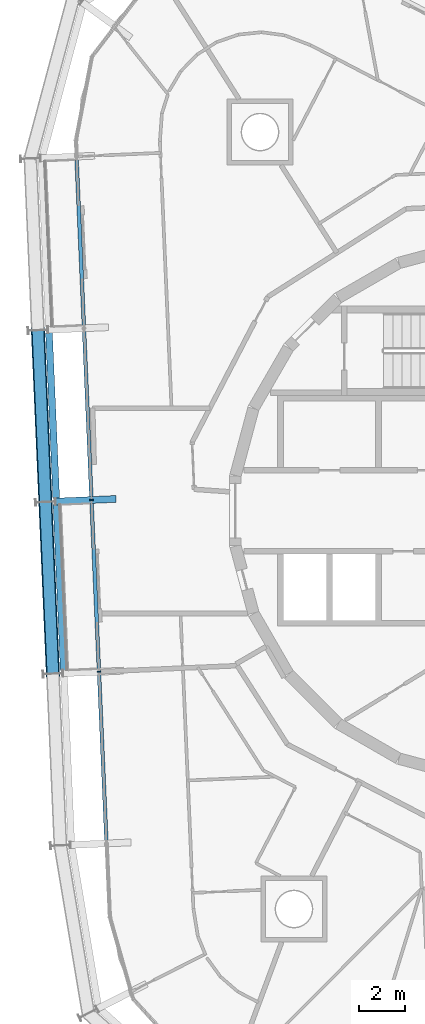
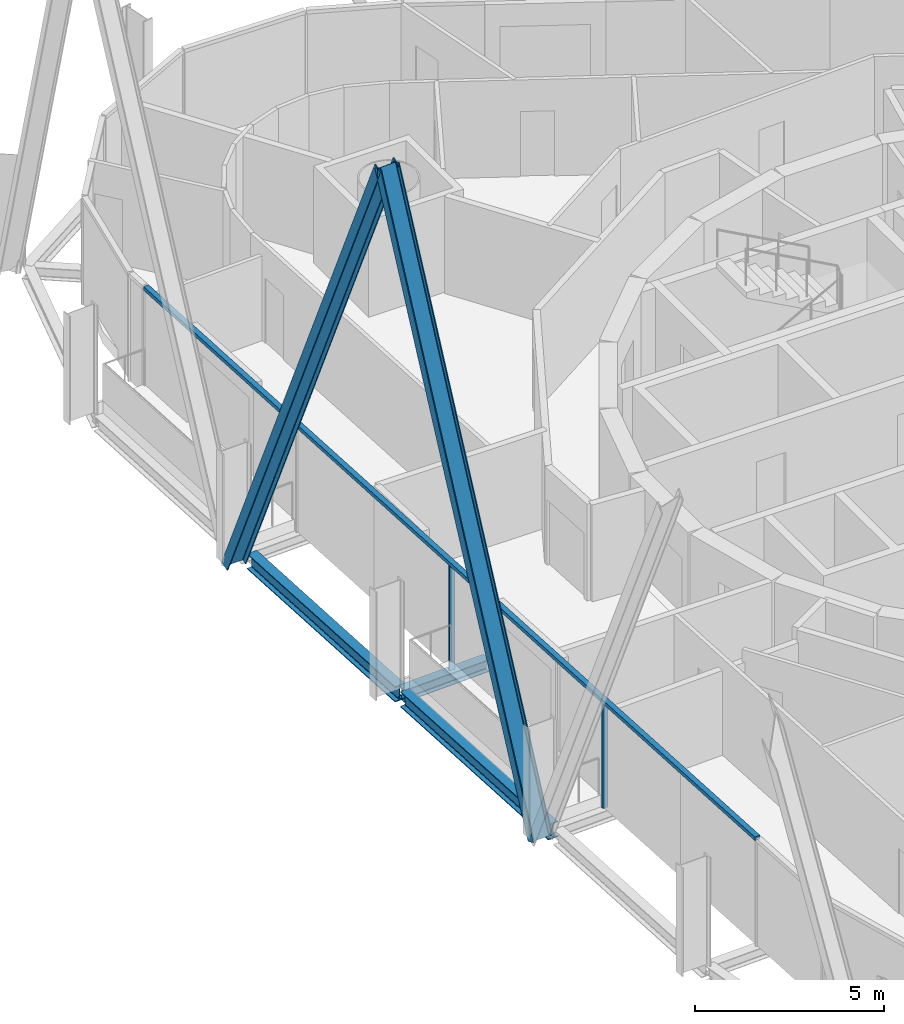
# One storey, part 4 of 18: 5 members, 3 beams, 1 element without a shape of its own.
"""IFC4 building model written with IfcOpenShell, lengths in metres."""

from ifc_helpers import new_model, si_unit, direction, frame, origin, origin_2d, place, context, subcontext, project, spatial, rectangle, i_section, extrude, material, layer, layer_set, material_profile, profile_set, type_object, element, aggregate, save


model = new_model("IFC4")

# Units and contexts
model_context = context("Model", 3, precision=1e-05, world=origin(), true_north=direction((0.0, 1.0)))
body_context = subcontext(model_context, "Body", "Model", "MODEL_VIEW")
ifc_project = project(units=[si_unit("LENGTHUNIT", "METRE"), si_unit("AREAUNIT", "SQUARE_METRE"), si_unit("VOLUMEUNIT", "CUBIC_METRE"), si_unit("PLANEANGLEUNIT", "RADIAN"), si_unit("MASSUNIT", "GRAM", prefix="KILO")], contexts=[model_context])

# Site, building, storey
site_placement = place(None, origin())
site = spatial("IfcSite", under=ifc_project, at=site_placement, CompositionType="ELEMENT")
building_placement = place(site_placement, origin())
building = spatial("IfcBuilding", under=site, at=building_placement, Name="Spindle Arch Residences", CompositionType="ELEMENT")
storey_placement = place(building_placement, frame((0.0, 0.0, 240.699951171875)))
storey = spatial("IfcBuildingStorey", under=building, at=storey_placement, Name="L61", CompositionType="ELEMENT", Elevation=240.699951171875)

# Curtain wall, members
ifc_material_1 = material(Name="Aluminium bronze unitised frame with tinted glass", Category="aluminium")
ifc_layer = layer(ifc_material_1, 0.159912109375)
ifc_layer_set = layer_set([ifc_layer], Name="CW-C typical residential unitised wall")
curtain_wall_type = type_object("IfcCurtainWallType", Name="CW-C typical residential unitised wall", PredefinedType="NOTDEFINED", material=ifc_layer_set)
curtain_wall_placement = place(storey_placement, origin())
curtain_wall = element("IfcCurtainWall", 1, at=curtain_wall_placement, inside=storey, type_object=curtain_wall_type, Name="CW-C L61 run 4", PredefinedType="NOTDEFINED")
ifc_material_2 = material(Name="Aluminium bronze anodised mullion", Category="aluminium")
ifc_material_profile_1 = material_profile(ifc_material_2, rectangle(XDim=0.159912109375, YDim=0.06005859375, at=origin_2d()), Name="MU 60x160")
ifc_profile_set_1 = profile_set([ifc_material_profile_1], Name="Aluminium bronze anodised mullion")
member_type_1 = type_object("IfcMemberType", Name="Bronze mullion 60x160", PredefinedType="MULLION", material=ifc_profile_set_1)
member_1_placement = place(storey_placement, frame((-17.9521484375, 0.472412109375, -0.3798828125), z_axis=(0.0, 0.0, 1.0), x_axis=(0.999048221582, 0.043619387365, 0.0)))
member_1 = element("IfcMember", 2, at=member_1_placement, type_object=member_type_1, Name="CW-C mullion 14", PredefinedType="MULLION", context=body_context, shape_type="SweptSolid", body=[
    extrude(rectangle(XDim=0.159912109375, YDim=0.06005859375, at=origin_2d()), origin(), (0.0, 0.0, 1.0), 3.3798828125),
])
member_2_placement = place(storey_placement, frame((-17.62353515625, -7.050537109375, -0.3798828125), z_axis=(0.0, 0.0, 1.0), x_axis=(0.999048221582, 0.043619387365, 0.0)))
member_2 = element("IfcMember", 3, at=member_2_placement, type_object=member_type_1, Name="CW-C mullion 15", PredefinedType="MULLION", context=body_context, shape_type="SweptSolid", body=[
    extrude(rectangle(XDim=0.159912109375, YDim=0.06005859375, at=origin_2d()), origin(), (0.0, 0.0, 1.0), 3.3798828125),
])
ifc_material_3 = material(Name="Aluminium bronze anodised transom", Category="aluminium")
ifc_material_profile_2 = material_profile(ifc_material_3, rectangle(XDim=0.159912109375, YDim=0.1201171875, at=origin_2d()), Name="TR 120x160")
ifc_profile_set_2 = profile_set([ifc_material_profile_2], Name="Aluminium bronze anodised transom")
member_type_2 = type_object("IfcMemberType", Name="Bronze transom 120x160", PredefinedType="USERDEFINED", material=ifc_profile_set_2)
member_3_placement = place(storey_placement, frame((-18.607666015625, 15.48828125, 3.06005859375), z_axis=(0.043621555075, -0.999048126935, 0.0), x_axis=(0.999048126935, 0.043621555075, 0.0)))
member_3 = element("IfcMember", 4, at=member_3_placement, type_object=member_type_2, Name="CW-C transom 00", ObjectType="TRANSOM", PredefinedType="USERDEFINED", context=body_context, shape_type="SweptSolid", body=[
    extrude(rectangle(XDim=0.159912109375, YDim=0.1201171875, at=origin_2d()), origin(), (0.0, 0.0, 1.0), 30.060302734375),
])
aggregate(curtain_wall, [member_3, member_1, member_2])

# Members
ifc_material_4 = material(Name="Steel S460ML, intumescent coating R 240", Category="steel")
ifc_material_profile_3 = material_profile(ifc_material_4, i_section(OverallWidth=0.300048828125, OverallDepth=0.60009765625, WebThickness=0.015380859375, FlangeThickness=0.030029296875, FilletRadius=0.027099609375, at=origin_2d()), Name="HEB 600")
ifc_profile_set_3 = profile_set([ifc_material_profile_3], Name="Steel S460ML, intumescent coating R 240")
member_type_3 = type_object("IfcMemberType", Name="Diagrid diagonal HEB 600", PredefinedType="BRACE", material=ifc_profile_set_3)
for number, where, z_axis, x_axis, name in (
    (5, (-20.298583984375, 7.9072265625, -0.6298828125), (0.017426616458, -0.399244430893, 0.916678895492), (-0.039974046757, 0.915806897236, 0.399624577022), "Diagrid diagonal 6.2.14"),
    (6, (-19.6416015625, -7.138671875, -0.6298828125), (-0.017439569111, 0.399244340714, 0.916678688438), (0.040003701623, -0.915805395099, 0.399625051971), "Diagrid diagonal 6.2.15"),
):
    element("IfcMember", number, at=place(storey_placement, frame(where, z_axis=z_axis, x_axis=x_axis)), inside=storey, type_object=member_type_3, Name=name, PredefinedType="BRACE", context=body_context, shape_type="SweptSolid", body=[
        extrude(i_section(OverallWidth=0.300048828125, OverallDepth=0.60009765625, WebThickness=0.015380859375, FlangeThickness=0.030029296875, FilletRadius=0.027099609375, at=origin_2d()), origin(), (0.0, 0.0, 1.0), 18.843017578125),
    ])

# Beams
ifc_material_5 = material(Name="Steel S460ML, intumescent coating R 120", Category="steel")
ifc_material_profile_4 = material_profile(ifc_material_5, i_section(OverallWidth=0.300048828125, OverallDepth=0.5, WebThickness=0.014404296875, FlangeThickness=0.028076171875, FilletRadius=0.027099609375, at=origin_2d()), Name="HEB 500")
ifc_profile_set_4 = profile_set([ifc_material_profile_4], Name="Steel S460ML, intumescent coating R 120")
beam_type_1 = type_object("IfcBeamType", Name="Exoskeleton edge beam HEB 500", PredefinedType="BEAM", material=ifc_profile_set_4)
for number, where, z_axis, x_axis, name in (
    (7, (-19.8134765625, 7.79833984375, -0.6298828125), (0.043655819138, -0.999046630271, 0.0), (0.999046630271, 0.043655819138, 0.0), "Exoskeleton edge beam 14"),
    (8, (-19.48486328125, 0.275390625, -0.6298828125), (0.043622301665, -0.999048094337, 0.0), (0.999048094337, 0.043622301665, 0.0), "Exoskeleton edge beam 15"),
):
    element("IfcBeam", number, at=place(storey_placement, frame(where, z_axis=z_axis, x_axis=x_axis)), inside=storey, type_object=beam_type_1, Name=name, PredefinedType="BEAM", context=body_context, shape_type="SweptSolid", body=[
        extrude(i_section(OverallWidth=0.300048828125, OverallDepth=0.5, WebThickness=0.014404296875, FlangeThickness=0.028076171875, FilletRadius=0.027099609375, at=origin_2d()), origin(), (0.0, 0.0, 1.0), 7.27001953125),
    ])
ifc_material_6 = material(Name="Steel S460ML, intumescent coating R 120", Category="steel")
ifc_material_profile_5 = material_profile(ifc_material_6, i_section(OverallWidth=0.300048828125, OverallDepth=0.389892578125, WebThickness=0.010986328125, FlangeThickness=0.01904296875, FilletRadius=0.027099609375, at=origin_2d()), Name="HEA 400")
ifc_profile_set_5 = profile_set([ifc_material_profile_5], Name="Steel S460ML, intumescent coating R 120")
beam_type_2 = type_object("IfcBeamType", Name="Floor outrigger HEA 400", PredefinedType="BEAM", material=ifc_profile_set_5)
beam_placement = place(storey_placement, frame((-19.5205078125, 0.40380859375, -0.574951171875), z_axis=(0.999046049411, 0.043669109869, 0.0), x_axis=(-0.043669109869, 0.999046049411, 0.0)))
element("IfcBeam", 9, at=beam_placement, inside=storey, type_object=beam_type_2, Name="Floor outrigger 15", PredefinedType="BEAM", context=body_context, shape_type="SweptSolid", body=[
    extrude(i_section(OverallWidth=0.300048828125, OverallDepth=0.389892578125, WebThickness=0.010986328125, FlangeThickness=0.01904296875, FilletRadius=0.027099609375, at=origin_2d()), origin(), (0.0, 0.0, 1.0), 2.64990234375),
])

save(model, "model.ifc")
